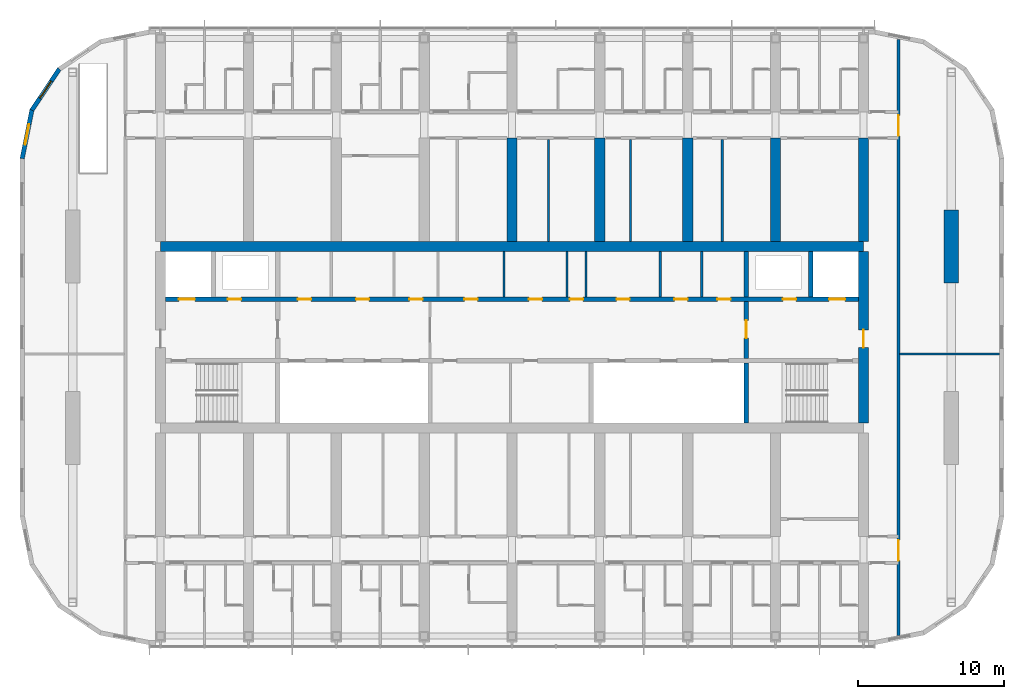
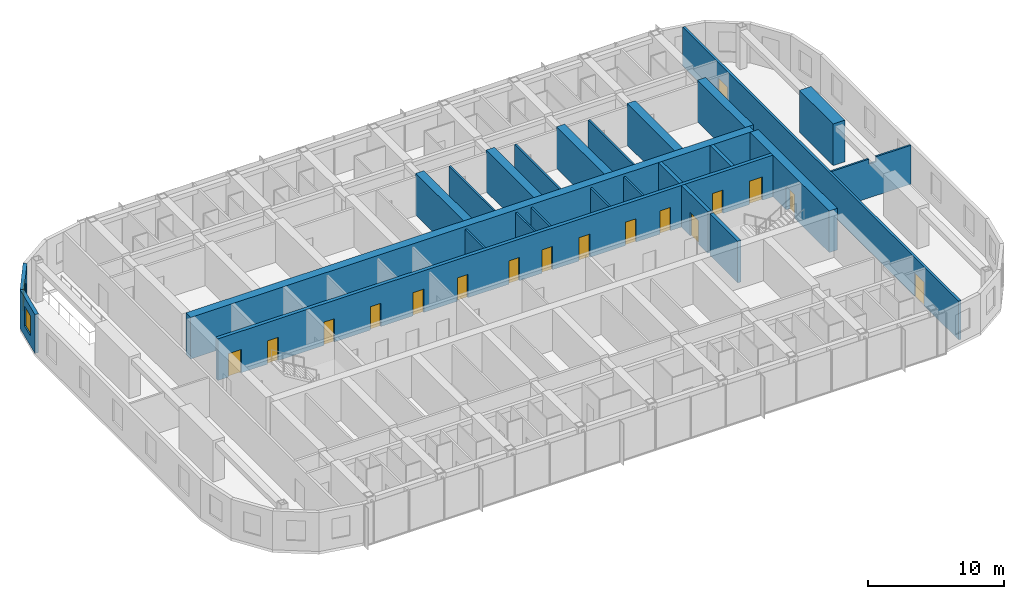
# One storey, part 15 of 24: 25 walls, 17 doors, 2 windows, 19 openings.
"""IFC4 building model written with IfcOpenShell, lengths in metres."""

from ifc_helpers import new_model, si_unit, direction, frame, frame_2d, origin, place, context, subcontext, project, spatial, polyline, rectangle, outline, extrude, material, layer, layer_set, type_object, element, fill, save


model = new_model("IFC4")

# Units and contexts
model_context = context("Model", 3, precision=1e-05, world=origin(), true_north=direction((0.0, 1.0)))
body_context = subcontext(model_context, "Body", "Model", "MODEL_VIEW")
ifc_project = project(units=[si_unit("LENGTHUNIT", "METRE"), si_unit("AREAUNIT", "SQUARE_METRE"), si_unit("VOLUMEUNIT", "CUBIC_METRE"), si_unit("PLANEANGLEUNIT", "RADIAN"), si_unit("MASSUNIT", "GRAM", prefix="KILO")], contexts=[model_context])

# Site, building, storey
site_placement = place(None, origin())
site = spatial("IfcSite", under=ifc_project, at=site_placement, CompositionType="ELEMENT")
building_placement = place(site_placement, origin())
building = spatial("IfcBuilding", under=site, at=building_placement, Name="Orbita Commons", CompositionType="ELEMENT")
storey_placement = place(building_placement, frame((0.0, 0.0, 235.300048828125)))
storey = spatial("IfcBuildingStorey", under=building, at=storey_placement, Name="L58", CompositionType="ELEMENT", Elevation=235.300048828125)

# Wall, openings, doors
ifc_material_1 = material(Name="Concrete C50/60", Category="concrete")
ifc_layer_1 = layer(ifc_material_1, 0.300048828125)
ifc_layer_set_1 = layer_set([ifc_layer_1], Name="Concrete C50/60")
wall_type_1 = type_object("IfcWallType", Name="Core inner wall 300 C50/60", PredefinedType="SHEAR", material=ifc_layer_set_1)
wall_1_placement = place(storey_placement, frame((18.35009765625, 34.60009765625, 0.0), z_axis=(0.0, 0.0, 1.0), x_axis=(1.0, 0.0, 0.0)))
wall_1 = element("IfcWall", 1, at=wall_1_placement, inside=storey, type_object=wall_type_1, Name="Lobby wall north L58", PredefinedType="SHEAR", context=body_context, shape_type="SweptSolid", body=[
    extrude(rectangle(XDim=47.2998046875, YDim=0.300048828125, at=frame_2d((23.64990234375, 0.0))), origin(), (0.0, 0.0, 1.0), 3.75),
])
opening_1_placement = place(wall_1_placement, frame((0.89990234375, 0.0, 0.0)))
opening_1 = element("IfcOpeningElement", 2, at=opening_1_placement, cuts=wall_1, Name="Opening LD01", PredefinedType="OPENING", context=body_context, shape_type="SweptSolid", body=[
    extrude(rectangle(XDim=1.10009765625, YDim=2.10009765625, at=frame_2d((0.550048828125, 1.050048828125))), frame((0.0, 0.159912109375, 0.0), z_axis=(0.0, -1.0, 0.0), x_axis=(1.0, 0.0, 0.0)), (0.0, 0.0, 1.0), 0.320068359375),
])
opening_2_placement = place(wall_1_placement, frame((45.300048828125, 0.0, 0.0)))
opening_2 = element("IfcOpeningElement", 3, at=opening_2_placement, cuts=wall_1, Name="Opening LD01", PredefinedType="OPENING", context=body_context, shape_type="SweptSolid", body=[
    extrude(rectangle(XDim=1.10009765625, YDim=2.10009765625, at=frame_2d((0.550048828125, 1.050048828125))), frame((0.0, 0.159912109375, 0.0), z_axis=(0.0, -1.0, 0.0), x_axis=(1.0, 0.0, 0.0)), (0.0, 0.0, 1.0), 0.320068359375),
])
opening_3_placement = place(wall_1_placement, frame((4.25, 0.0, 0.0)))
opening_3 = element("IfcOpeningElement", 4, at=opening_3_placement, cuts=wall_1, Name="Opening D03", PredefinedType="OPENING", context=body_context, shape_type="SweptSolid", body=[
    extrude(rectangle(XDim=0.89990234375, YDim=2.10009765625, at=frame_2d((0.449951171875, 1.050048828125))), frame((0.0, 0.159912109375, 0.0), z_axis=(0.0, -1.0, 0.0), x_axis=(1.0, 0.0, 0.0)), (0.0, 0.0, 1.0), 0.320068359375),
])
opening_4_placement = place(wall_1_placement, frame((42.14990234375, 0.0, 0.0)))
opening_4 = element("IfcOpeningElement", 5, at=opening_4_placement, cuts=wall_1, Name="Opening D03", PredefinedType="OPENING", context=body_context, shape_type="SweptSolid", body=[
    extrude(rectangle(XDim=0.89990234375, YDim=2.10009765625, at=frame_2d((0.449951171875, 1.050048828125))), frame((0.0, 0.159912109375, 0.0), z_axis=(0.0, -1.0, 0.0), x_axis=(1.0, 0.0, 0.0)), (0.0, 0.0, 1.0), 0.320068359375),
])
opening_5_placement = place(wall_1_placement, frame((9.025390625, 0.0, 0.0)))
opening_5 = element("IfcOpeningElement", 6, at=opening_5_placement, cuts=wall_1, Name="Opening D05", PredefinedType="OPENING", context=body_context, shape_type="SweptSolid", body=[
    extrude(rectangle(XDim=0.89990234375, YDim=2.10009765625, at=frame_2d((0.449951171875, 1.050048828125))), frame((0.0, 0.159912109375, 0.0), z_axis=(0.0, -1.0, 0.0), x_axis=(1.0, 0.0, 0.0)), (0.0, 0.0, 1.0), 0.320068359375),
])
opening_6_placement = place(wall_1_placement, frame((12.998779296875, 0.0, 0.0)))
opening_6 = element("IfcOpeningElement", 7, at=opening_6_placement, cuts=wall_1, Name="Opening D03", PredefinedType="OPENING", context=body_context, shape_type="SweptSolid", body=[
    extrude(rectangle(XDim=0.89990234375, YDim=2.10009765625, at=frame_2d((0.449951171875, 1.050048828125))), frame((0.0, 0.159912109375, 0.0), z_axis=(0.0, -1.0, 0.0), x_axis=(1.0, 0.0, 0.0)), (0.0, 0.0, 1.0), 0.320068359375),
])
opening_7_placement = place(wall_1_placement, frame((16.646240234375, 0.0, 0.0)))
opening_7 = element("IfcOpeningElement", 8, at=opening_7_placement, cuts=wall_1, Name="Opening D03", PredefinedType="OPENING", context=body_context, shape_type="SweptSolid", body=[
    extrude(rectangle(XDim=0.89990234375, YDim=2.10009765625, at=frame_2d((0.449951171875, 1.050048828125))), frame((0.0, 0.159912109375, 0.0), z_axis=(0.0, -1.0, 0.0), x_axis=(1.0, 0.0, 0.0)), (0.0, 0.0, 1.0), 0.320068359375),
])
opening_8_placement = place(wall_1_placement, frame((20.40478515625, 0.0, 0.0)))
opening_8 = element("IfcOpeningElement", 9, at=opening_8_placement, cuts=wall_1, Name="Opening D03", PredefinedType="OPENING", context=body_context, shape_type="SweptSolid", body=[
    extrude(rectangle(XDim=0.89990234375, YDim=2.10009765625, at=frame_2d((0.449951171875, 1.050048828125))), frame((0.0, 0.159912109375, 0.0), z_axis=(0.0, -1.0, 0.0), x_axis=(1.0, 0.0, 0.0)), (0.0, 0.0, 1.0), 0.320068359375),
])
opening_9_placement = place(wall_1_placement, frame((24.810791015625, 0.0, 0.0)))
opening_9 = element("IfcOpeningElement", 10, at=opening_9_placement, cuts=wall_1, Name="Opening D03", PredefinedType="OPENING", context=body_context, shape_type="SweptSolid", body=[
    extrude(rectangle(XDim=0.89990234375, YDim=2.10009765625, at=frame_2d((0.449951171875, 1.050048828125))), frame((0.0, 0.159912109375, 0.0), z_axis=(0.0, -1.0, 0.0), x_axis=(1.0, 0.0, 0.0)), (0.0, 0.0, 1.0), 0.320068359375),
])
opening_10_placement = place(wall_1_placement, frame((27.6083984375, 0.0, 0.0)))
opening_10 = element("IfcOpeningElement", 11, at=opening_10_placement, cuts=wall_1, Name="Opening D03", PredefinedType="OPENING", context=body_context, shape_type="SweptSolid", body=[
    extrude(rectangle(XDim=0.89990234375, YDim=2.10009765625, at=frame_2d((0.449951171875, 1.050048828125))), frame((0.0, 0.159912109375, 0.0), z_axis=(0.0, -1.0, 0.0), x_axis=(1.0, 0.0, 0.0)), (0.0, 0.0, 1.0), 0.320068359375),
])
opening_11_placement = place(wall_1_placement, frame((30.791259765625, 0.0, 0.0)))
opening_11 = element("IfcOpeningElement", 12, at=opening_11_placement, cuts=wall_1, Name="Opening D05", PredefinedType="OPENING", context=body_context, shape_type="SweptSolid", body=[
    extrude(rectangle(XDim=0.89990234375, YDim=2.10009765625, at=frame_2d((0.449951171875, 1.050048828125))), frame((0.0, 0.159912109375, 0.0), z_axis=(0.0, -1.0, 0.0), x_axis=(1.0, 0.0, 0.0)), (0.0, 0.0, 1.0), 0.320068359375),
])
opening_12_placement = place(wall_1_placement, frame((34.7421875, 0.0, 0.0)))
opening_12 = element("IfcOpeningElement", 13, at=opening_12_placement, cuts=wall_1, Name="Opening D03", PredefinedType="OPENING", context=body_context, shape_type="SweptSolid", body=[
    extrude(rectangle(XDim=0.89990234375, YDim=2.10009765625, at=frame_2d((0.449951171875, 1.050048828125))), frame((0.0, 0.159912109375, 0.0), z_axis=(0.0, -1.0, 0.0), x_axis=(1.0, 0.0, 0.0)), (0.0, 0.0, 1.0), 0.320068359375),
])
opening_13_placement = place(wall_1_placement, frame((37.680419921875, 0.0, 0.0)))
opening_13 = element("IfcOpeningElement", 14, at=opening_13_placement, cuts=wall_1, Name="Opening D03", PredefinedType="OPENING", context=body_context, shape_type="SweptSolid", body=[
    extrude(rectangle(XDim=0.89990234375, YDim=2.10009765625, at=frame_2d((0.449951171875, 1.050048828125))), frame((0.0, 0.159912109375, 0.0), z_axis=(0.0, -1.0, 0.0), x_axis=(1.0, 0.0, 0.0)), (0.0, 0.0, 1.0), 0.320068359375),
])
ifc_material_2 = material(Name="Steel-faced fire door leaf", Category="steel")
door_type_1 = type_object("IfcDoorType", Name="Firefighting lift landing door 1100x2100", OperationType="DOUBLE_DOOR_SLIDING", PredefinedType="DOOR", material=ifc_material_2)
door_1_placement = place(opening_1_placement, origin())
door_1 = element("IfcDoor", 15, at=door_1_placement, inside=storey, type_object=door_type_1, Name="Firefighting lift FL1 landing door", OperationType="DOUBLE_DOOR_SLIDING", OverallHeight=2.10009765625, OverallWidth=1.10009765625, PredefinedType="DOOR", context=body_context, shape_type="SweptSolid", body=[
    extrude(rectangle(XDim=1.10009765625, YDim=2.10009765625, at=frame_2d((0.550048828125, 1.050048828125))), frame((0.0, 0.02490234375, 0.0), z_axis=(0.0, -1.0, 0.0), x_axis=(1.0, 0.0, 0.0)), (0.0, 0.0, 1.0), 0.050048828125),
])
fill(opening_1, door_1)
door_2_placement = place(opening_2_placement, origin())
door_2 = element("IfcDoor", 16, at=door_2_placement, inside=storey, type_object=door_type_1, Name="Firefighting lift FL2 landing door", OperationType="DOUBLE_DOOR_SLIDING", OverallHeight=2.10009765625, OverallWidth=1.10009765625, PredefinedType="DOOR", context=body_context, shape_type="SweptSolid", body=[
    extrude(rectangle(XDim=1.10009765625, YDim=2.10009765625, at=frame_2d((0.550048828125, 1.050048828125))), frame((0.0, 0.02490234375, 0.0), z_axis=(0.0, -1.0, 0.0), x_axis=(1.0, 0.0, 0.0)), (0.0, 0.0, 1.0), 0.050048828125),
])
fill(opening_2, door_2)
ifc_material_3 = material(Name="Steel-faced fire door leaf", Category="steel")
door_type_2 = type_object("IfcDoorType", Name="Service door 20 min 900x2100", OperationType="SINGLE_SWING_LEFT", PredefinedType="DOOR", material=ifc_material_3)
door_3_placement = place(opening_5_placement, origin())
door_3 = element("IfcDoor", 17, at=door_3_placement, inside=storey, type_object=door_type_2, Name="Accessible WC door", OperationType="SINGLE_SWING_LEFT", OverallHeight=2.10009765625, OverallWidth=0.89990234375, PredefinedType="DOOR", context=body_context, shape_type="SweptSolid", body=[
    extrude(rectangle(XDim=0.89990234375, YDim=2.10009765625, at=frame_2d((0.449951171875, 1.050048828125))), frame((0.0, 0.02490234375, 0.0), z_axis=(0.0, -1.0, 0.0), x_axis=(1.0, 0.0, 0.0)), (0.0, 0.0, 1.0), 0.050048828125),
])
fill(opening_5, door_3)
door_4_placement = place(opening_11_placement, origin())
door_4 = element("IfcDoor", 18, at=door_4_placement, inside=storey, type_object=door_type_2, Name="Guest pantry door", OperationType="SINGLE_SWING_LEFT", OverallHeight=2.10009765625, OverallWidth=0.89990234375, PredefinedType="DOOR", context=body_context, shape_type="SweptSolid", body=[
    extrude(rectangle(XDim=0.89990234375, YDim=2.10009765625, at=frame_2d((0.449951171875, 1.050048828125))), frame((0.0, 0.02490234375, 0.0), z_axis=(0.0, -1.0, 0.0), x_axis=(1.0, 0.0, 0.0)), (0.0, 0.0, 1.0), 0.050048828125),
])
fill(opening_11, door_4)
ifc_material_4 = material(Name="Steel-faced fire door leaf", Category="steel")
door_type_3 = type_object("IfcDoorType", Name="Shaft access door 90 min 900x2100", OperationType="SINGLE_SWING_LEFT", PredefinedType="DOOR", material=ifc_material_4)
door_5_placement = place(opening_3_placement, origin())
door_5 = element("IfcDoor", 19, at=door_5_placement, inside=storey, type_object=door_type_3, Name="Riser door west", OperationType="SINGLE_SWING_LEFT", OverallHeight=2.10009765625, OverallWidth=0.89990234375, PredefinedType="DOOR", context=body_context, shape_type="SweptSolid", body=[
    extrude(rectangle(XDim=0.89990234375, YDim=2.10009765625, at=frame_2d((0.449951171875, 1.050048828125))), frame((0.0, 0.02490234375, 0.0), z_axis=(0.0, -1.0, 0.0), x_axis=(1.0, 0.0, 0.0)), (0.0, 0.0, 1.0), 0.050048828125),
])
fill(opening_3, door_5)
door_6_placement = place(opening_4_placement, origin())
door_6 = element("IfcDoor", 20, at=door_6_placement, inside=storey, type_object=door_type_3, Name="Riser door east", OperationType="SINGLE_SWING_LEFT", OverallHeight=2.10009765625, OverallWidth=0.89990234375, PredefinedType="DOOR", context=body_context, shape_type="SweptSolid", body=[
    extrude(rectangle(XDim=0.89990234375, YDim=2.10009765625, at=frame_2d((0.449951171875, 1.050048828125))), frame((0.0, 0.02490234375, 0.0), z_axis=(0.0, -1.0, 0.0), x_axis=(1.0, 0.0, 0.0)), (0.0, 0.0, 1.0), 0.050048828125),
])
fill(opening_4, door_6)
door_7_placement = place(opening_6_placement, origin())
door_7 = element("IfcDoor", 21, at=door_7_placement, inside=storey, type_object=door_type_3, Name="Refuse chute room door", OperationType="SINGLE_SWING_LEFT", OverallHeight=2.10009765625, OverallWidth=0.89990234375, PredefinedType="DOOR", context=body_context, shape_type="SweptSolid", body=[
    extrude(rectangle(XDim=0.89990234375, YDim=2.10009765625, at=frame_2d((0.449951171875, 1.050048828125))), frame((0.0, 0.02490234375, 0.0), z_axis=(0.0, -1.0, 0.0), x_axis=(1.0, 0.0, 0.0)), (0.0, 0.0, 1.0), 0.050048828125),
])
fill(opening_6, door_7)
door_8_placement = place(opening_7_placement, origin())
door_8 = element("IfcDoor", 22, at=door_8_placement, inside=storey, type_object=door_type_3, Name="Electrical riser room door", OperationType="SINGLE_SWING_LEFT", OverallHeight=2.10009765625, OverallWidth=0.89990234375, PredefinedType="DOOR", context=body_context, shape_type="SweptSolid", body=[
    extrude(rectangle(XDim=0.89990234375, YDim=2.10009765625, at=frame_2d((0.449951171875, 1.050048828125))), frame((0.0, 0.02490234375, 0.0), z_axis=(0.0, -1.0, 0.0), x_axis=(1.0, 0.0, 0.0)), (0.0, 0.0, 1.0), 0.050048828125),
])
fill(opening_7, door_8)
door_9_placement = place(opening_8_placement, origin())
door_9 = element("IfcDoor", 23, at=door_9_placement, inside=storey, type_object=door_type_3, Name="IT room door", OperationType="SINGLE_SWING_LEFT", OverallHeight=2.10009765625, OverallWidth=0.89990234375, PredefinedType="DOOR", context=body_context, shape_type="SweptSolid", body=[
    extrude(rectangle(XDim=0.89990234375, YDim=2.10009765625, at=frame_2d((0.449951171875, 1.050048828125))), frame((0.0, 0.02490234375, 0.0), z_axis=(0.0, -1.0, 0.0), x_axis=(1.0, 0.0, 0.0)), (0.0, 0.0, 1.0), 0.050048828125),
])
fill(opening_8, door_9)
door_10_placement = place(opening_9_placement, origin())
door_10 = element("IfcDoor", 24, at=door_10_placement, inside=storey, type_object=door_type_3, Name="Communications room door", OperationType="SINGLE_SWING_LEFT", OverallHeight=2.10009765625, OverallWidth=0.89990234375, PredefinedType="DOOR", context=body_context, shape_type="SweptSolid", body=[
    extrude(rectangle(XDim=0.89990234375, YDim=2.10009765625, at=frame_2d((0.449951171875, 1.050048828125))), frame((0.0, 0.02490234375, 0.0), z_axis=(0.0, -1.0, 0.0), x_axis=(1.0, 0.0, 0.0)), (0.0, 0.0, 1.0), 0.050048828125),
])
fill(opening_9, door_10)
door_11_placement = place(opening_10_placement, origin())
door_11 = element("IfcDoor", 25, at=door_11_placement, inside=storey, type_object=door_type_3, Name="Stair pressurisation duct door", OperationType="SINGLE_SWING_LEFT", OverallHeight=2.10009765625, OverallWidth=0.89990234375, PredefinedType="DOOR", context=body_context, shape_type="SweptSolid", body=[
    extrude(rectangle(XDim=0.89990234375, YDim=2.10009765625, at=frame_2d((0.449951171875, 1.050048828125))), frame((0.0, 0.02490234375, 0.0), z_axis=(0.0, -1.0, 0.0), x_axis=(1.0, 0.0, 0.0)), (0.0, 0.0, 1.0), 0.050048828125),
])
fill(opening_10, door_11)
door_12_placement = place(opening_12_placement, origin())
door_12 = element("IfcDoor", 26, at=door_12_placement, inside=storey, type_object=door_type_3, Name="Linen store door", OperationType="SINGLE_SWING_LEFT", OverallHeight=2.10009765625, OverallWidth=0.89990234375, PredefinedType="DOOR", context=body_context, shape_type="SweptSolid", body=[
    extrude(rectangle(XDim=0.89990234375, YDim=2.10009765625, at=frame_2d((0.449951171875, 1.050048828125))), frame((0.0, 0.02490234375, 0.0), z_axis=(0.0, -1.0, 0.0), x_axis=(1.0, 0.0, 0.0)), (0.0, 0.0, 1.0), 0.050048828125),
])
fill(opening_12, door_12)
door_13_placement = place(opening_13_placement, origin())
door_13 = element("IfcDoor", 27, at=door_13_placement, inside=storey, type_object=door_type_3, Name="Cleaners store door", OperationType="SINGLE_SWING_LEFT", OverallHeight=2.10009765625, OverallWidth=0.89990234375, PredefinedType="DOOR", context=body_context, shape_type="SweptSolid", body=[
    extrude(rectangle(XDim=0.89990234375, YDim=2.10009765625, at=frame_2d((0.449951171875, 1.050048828125))), frame((0.0, 0.02490234375, 0.0), z_axis=(0.0, -1.0, 0.0), x_axis=(1.0, 0.0, 0.0)), (0.0, 0.0, 1.0), 0.050048828125),
])
fill(opening_13, door_13)

# Wall
wall_2_placement = place(storey_placement, frame((58.0, 26.14990234375, 0.0), z_axis=(0.0, 0.0, 1.0), x_axis=(0.0, 1.0, 0.0)))
element("IfcWall", 28, at=wall_2_placement, inside=storey, type_object=wall_type_1, Name="Stair S2 wall L58", PredefinedType="SHEAR", context=body_context, shape_type="SweptSolid", body=[
    extrude(rectangle(XDim=4.10009765625, YDim=0.300048828125, at=frame_2d((2.050048828125, 0.0))), origin(), (0.0, 0.0, 1.0), 3.75),
])

# Wall, opening, door
wall_3_placement = place(storey_placement, frame((58.0, 30.550048828125, 0.0), z_axis=(0.0, 0.0, 1.0), x_axis=(0.0, 1.0, 0.0)))
wall_3 = element("IfcWall", 29, at=wall_3_placement, inside=storey, type_object=wall_type_1, Name="Firefighting lobby wall east L58", PredefinedType="SHEAR", context=body_context, shape_type="SweptSolid", body=[
    extrude(rectangle(XDim=3.89990234375, YDim=0.300048828125, at=frame_2d((1.949951171875, 0.0))), origin(), (0.0, 0.0, 1.0), 3.75),
])
opening_14_placement = place(wall_3_placement, frame((1.39990234375, 0.0, 0.0)))
opening_14 = element("IfcOpeningElement", 30, at=opening_14_placement, cuts=wall_3, Name="Opening D04", PredefinedType="OPENING", context=body_context, shape_type="SweptSolid", body=[
    extrude(rectangle(XDim=1.199951171875, YDim=2.10009765625, at=frame_2d((0.60009765625, 1.050048828125))), frame((0.0, 0.159912109375, 0.0), z_axis=(0.0, -1.0, 0.0), x_axis=(1.0, 0.0, 0.0)), (0.0, 0.0, 1.0), 0.320068359375),
])
ifc_material_5 = material(Name="Steel-faced fire door leaf", Category="steel")
door_type_4 = type_object("IfcDoorType", Name="Service door 20 min 1200x2100", OperationType="SINGLE_SWING_LEFT", PredefinedType="DOOR", material=ifc_material_5)
door_14_placement = place(opening_14_placement, origin())
door_14 = element("IfcDoor", 31, at=door_14_placement, inside=storey, type_object=door_type_4, Name="Lift lobby door east", OperationType="SINGLE_SWING_LEFT", OverallHeight=2.10009765625, OverallWidth=1.199951171875, PredefinedType="DOOR", context=body_context, shape_type="SweptSolid", body=[
    extrude(rectangle(XDim=1.199951171875, YDim=2.10009765625, at=frame_2d((0.60009765625, 1.050048828125))), frame((0.0, 0.02490234375, 0.0), z_axis=(0.0, -1.0, 0.0), x_axis=(1.0, 0.0, 0.0)), (0.0, 0.0, 1.0), 0.050048828125),
])
fill(opening_14, door_14)

# Walls
for number, where, z_axis, x_axis, name in (
    (32, (62.39990234375, 34.75, 0.0), (0.0, 0.0, 1.0), (0.0, 1.0, 0.0), "Firefighting lift FL2 shaft wall L58"),
    (33, (58.0, 34.75, 0.0), (0.0, 0.0, 1.0), (0.0, 1.0, 0.0), "Riser wall east L58"),
):
    element("IfcWall", number, at=place(storey_placement, frame(where, z_axis=z_axis, x_axis=x_axis)), inside=storey, type_object=wall_type_1, Name=name, PredefinedType="SHEAR", context=body_context, shape_type="SweptSolid", body=[
        extrude(rectangle(XDim=3.10009765625, YDim=0.300048828125, at=frame_2d((1.550048828125, 0.0))), origin(), (0.0, 0.0, 1.0), 3.75),
    ])
ifc_material_6 = material(Name="Concrete blockwork", Category="masonry")
ifc_layer_2 = layer(ifc_material_6, 0.14990234375)
ifc_layer_set_2 = layer_set([ifc_layer_2], Name="Concrete blockwork")
wall_type_2 = type_object("IfcWallType", Name="Core partition 150 blockwork", PredefinedType="SOLIDWALL", material=ifc_layer_set_2)
for number, where, z_axis, x_axis, name in (
    (34, (41.463134765625, 34.75, 0.0), (0.0, 0.0, 1.0), (0.0, 1.0, 0.0), "Core partition 150 blockwork L58"),
    (35, (45.75830078125, 34.75, 0.0), (0.0, 0.0, 1.0), (0.0, 1.0, 0.0), "Core partition 150 blockwork L58"),
    (36, (47.058349609375, 34.75, 0.0), (0.0, 0.0, 1.0), (0.0, 1.0, 0.0), "Core partition 150 blockwork L58"),
    (37, (52.123779296875, 34.75, 0.0), (0.0, 0.0, 1.0), (0.0, 1.0, 0.0), "Core partition 150 blockwork L58"),
    (38, (54.960693359375, 34.75, 0.0), (0.0, 0.0, 1.0), (0.0, 1.0, 0.0), "Core partition 150 blockwork L58"),
):
    element("IfcWall", number, at=place(storey_placement, frame(where, z_axis=z_axis, x_axis=x_axis)), inside=storey, type_object=wall_type_2, Name=name, PredefinedType="SOLIDWALL", context=body_context, shape_type="SweptSolid", body=[
        extrude(rectangle(XDim=3.10009765625, YDim=0.14990234375, at=frame_2d((1.550048828125, 0.0))), origin(), (0.0, 0.0, 1.0), 3.5),
    ])
ifc_material_7 = material(Name="Concrete C50/60", Category="concrete")
ifc_layer_3 = layer(ifc_material_7, 0.699951171875)
ifc_layer_set_3 = layer_set([ifc_layer_3], Name="Concrete C50/60")
wall_type_3 = type_object("IfcWallType", Name="Core wall 700 C50/60", PredefinedType="SHEAR", material=ifc_layer_set_3)
wall_4_placement = place(storey_placement, frame((18.0, 38.199951171875, 0.0), z_axis=(0.0, 0.0, 1.0), x_axis=(1.0, 0.0, 0.0)))
element("IfcWall", 39, at=wall_4_placement, inside=storey, type_object=wall_type_3, Name="Core spine wall north L58", PredefinedType="SHEAR", context=body_context, shape_type="SweptSolid", body=[
    extrude(rectangle(XDim=48.0, YDim=0.699951171875, at=frame_2d((24.0, 0.0))), origin(), (0.0, 0.0, 1.0), 3.75),
])

# Wall, opening, door
wall_5_placement = place(storey_placement, frame((66.0, 26.14990234375, 0.0), z_axis=(0.0, 0.0, 1.0), x_axis=(0.0, 1.0, 0.0)))
wall_5 = element("IfcWall", 40, at=wall_5_placement, inside=storey, type_object=wall_type_3, Name="Core end wall east L58", PredefinedType="SHEAR", context=body_context, shape_type="SweptSolid", body=[
    extrude(rectangle(XDim=11.7001953125, YDim=0.699951171875, at=frame_2d((5.85009765625, 0.0))), origin(), (0.0, 0.0, 1.0), 3.75),
])
opening_15_placement = place(wall_5_placement, frame((5.14990234375, 0.0, 0.0)))
opening_15 = element("IfcOpeningElement", 41, at=opening_15_placement, cuts=wall_5, Name="Opening D01", PredefinedType="OPENING", context=body_context, shape_type="SweptSolid", body=[
    extrude(rectangle(XDim=1.199951171875, YDim=2.10009765625, at=frame_2d((0.60009765625, 1.050048828125))), frame((0.0, 0.35986328125, 0.0), z_axis=(0.0, -1.0, 0.0), x_axis=(1.0, 0.0, 0.0)), (0.0, 0.0, 1.0), 0.719970703125),
])
ifc_material_8 = material(Name="Steel-faced fire door leaf", Category="steel")
door_type_5 = type_object("IfcDoorType", Name="Fire door 90 min 1200x2100", OperationType="SINGLE_SWING_LEFT", PredefinedType="DOOR", material=ifc_material_8)
door_15_placement = place(opening_15_placement, origin())
door_15 = element("IfcDoor", 42, at=door_15_placement, inside=storey, type_object=door_type_5, Name="Firefighting lobby east door", OperationType="SINGLE_SWING_LEFT", OverallHeight=2.10009765625, OverallWidth=1.199951171875, PredefinedType="DOOR", context=body_context, shape_type="SweptSolid", body=[
    extrude(rectangle(XDim=1.199951171875, YDim=2.10009765625, at=frame_2d((0.60009765625, 1.050048828125))), frame((0.0, 0.02490234375, 0.0), z_axis=(0.0, -1.0, 0.0), x_axis=(1.0, 0.0, 0.0)), (0.0, 0.0, 1.0), 0.050048828125),
])
fill(opening_15, door_15)

# Wall, openings, doors
ifc_material_9 = material(Name="Concrete blockwork", Category="masonry")
ifc_layer_4 = layer(ifc_material_9, 0.199951171875)
ifc_layer_set_4 = layer_set([ifc_layer_4], Name="Concrete blockwork")
wall_type_4 = type_object("IfcWallType", Name="Corridor wall 200 blockwork", PredefinedType="SOLIDWALL", material=ifc_layer_set_4)
wall_6_placement = place(storey_placement, frame((68.39990234375, 11.646240234375, 0.0), z_axis=(0.0, 0.0, 1.0), x_axis=(0.0, 1.0, 0.0)))
wall_6 = element("IfcWall", 43, at=wall_6_placement, inside=storey, type_object=wall_type_4, Name="Corridor wall 200 blockwork L58", PredefinedType="SOLIDWALL", context=body_context, shape_type="SweptSolid", body=[
    extrude(rectangle(XDim=40.70751953125, YDim=0.199951171875, at=frame_2d((20.353759765625, 0.0))), origin(), (0.0, 0.0, 1.0), 3.5),
])
opening_16_placement = place(wall_6_placement, frame((5.103759765625, 0.0, 0.0)))
opening_16 = element("IfcOpeningElement", 44, at=opening_16_placement, cuts=wall_6, Name="Opening D08", PredefinedType="OPENING", context=body_context, shape_type="SweptSolid", body=[
    extrude(rectangle(XDim=1.39990234375, YDim=2.10009765625, at=frame_2d((0.699951171875, 1.050048828125))), frame((0.0, 0.10986328125, 0.0), z_axis=(0.0, -1.0, 0.0), x_axis=(1.0, 0.0, 0.0)), (0.0, 0.0, 1.0), 0.219970703125),
])
opening_17_placement = place(wall_6_placement, frame((34.103759765625, 0.0, 0.0)))
opening_17 = element("IfcOpeningElement", 45, at=opening_17_placement, cuts=wall_6, Name="Opening D08", PredefinedType="OPENING", context=body_context, shape_type="SweptSolid", body=[
    extrude(rectangle(XDim=1.39990234375, YDim=2.10009765625, at=frame_2d((0.699951171875, 1.050048828125))), frame((0.0, 0.10986328125, 0.0), z_axis=(0.0, -1.0, 0.0), x_axis=(1.0, 0.0, 0.0)), (0.0, 0.0, 1.0), 0.219970703125),
])
ifc_material_10 = material(Name="Steel-faced fire door leaf", Category="steel")
door_type_6 = type_object("IfcDoorType", Name="Double corridor door 20 min 1400x2100", OperationType="DOUBLE_DOOR_SINGLE_SWING", PredefinedType="DOOR", material=ifc_material_10)
door_16_placement = place(opening_16_placement, origin())
door_16 = element("IfcDoor", 46, at=door_16_placement, inside=storey, type_object=door_type_6, Name="Lounge doors", OperationType="DOUBLE_DOOR_SINGLE_SWING", OverallHeight=2.10009765625, OverallWidth=1.39990234375, PredefinedType="DOOR", context=body_context, shape_type="SweptSolid", body=[
    extrude(rectangle(XDim=1.39990234375, YDim=2.10009765625, at=frame_2d((0.699951171875, 1.050048828125))), frame((0.0, 0.02490234375, 0.0), z_axis=(0.0, -1.0, 0.0), x_axis=(1.0, 0.0, 0.0)), (0.0, 0.0, 1.0), 0.050048828125),
])
fill(opening_16, door_16)
door_17_placement = place(opening_17_placement, origin())
door_17 = element("IfcDoor", 47, at=door_17_placement, inside=storey, type_object=door_type_6, Name="Lounge doors", OperationType="DOUBLE_DOOR_SINGLE_SWING", OverallHeight=2.10009765625, OverallWidth=1.39990234375, PredefinedType="DOOR", context=body_context, shape_type="SweptSolid", body=[
    extrude(rectangle(XDim=1.39990234375, YDim=2.10009765625, at=frame_2d((0.699951171875, 1.050048828125))), frame((0.0, 0.02490234375, 0.0), z_axis=(0.0, -1.0, 0.0), x_axis=(1.0, 0.0, 0.0)), (0.0, 0.0, 1.0), 0.050048828125),
])
fill(opening_17, door_17)

# Walls
ifc_material_11 = material(Name="Concrete C50/60", Category="concrete")
ifc_layer_5 = layer(ifc_material_11, 0.699951171875)
ifc_layer_set_5 = layer_set([ifc_layer_5], Name="Concrete C50/60")
wall_type_5 = type_object("IfcWallType", Name="Cross wall 700 C50/60", PredefinedType="SHEAR", material=ifc_layer_set_5)
for number, where, z_axis, x_axis, name in (
    (48, (42.0, 38.550048828125, 0.0), (0.0, 0.0, 1.0), (0.0, 1.0, 0.0), "Cross wall 8 north inner L58"),
    (49, (48.0, 38.550048828125, 0.0), (0.0, 0.0, 1.0), (0.0, 1.0, 0.0), "Cross wall 9 north inner L58"),
    (50, (54.0, 38.550048828125, 0.0), (0.0, 0.0, 1.0), (0.0, 1.0, 0.0), "Cross wall 10 north inner L58"),
    (51, (60.0, 38.550048828125, 0.0), (0.0, 0.0, 1.0), (0.0, 1.0, 0.0), "Cross wall 11 north inner L58"),
    (52, (66.0, 38.550048828125, 0.0), (0.0, 0.0, 1.0), (0.0, 1.0, 0.0), "Cross wall 12 north inner L58"),
):
    element("IfcWall", number, at=place(storey_placement, frame(where, z_axis=z_axis, x_axis=x_axis)), inside=storey, type_object=wall_type_5, Name=name, PredefinedType="SHEAR", context=body_context, shape_type="SweptSolid", body=[
        extrude(rectangle(XDim=7.050048828125, YDim=0.699951171875, at=frame_2d((3.52490234375, 0.0))), origin(), (0.0, 0.0, 1.0), 3.75),
    ])
ifc_material_12 = material(Name="Concrete C50/60", Category="concrete")
ifc_layer_6 = layer(ifc_material_12, 1.0)
ifc_layer_set_6 = layer_set([ifc_layer_6], Name="Concrete C50/60")
wall_type_6 = type_object("IfcWallType", Name="End pier 1000x5000 C50/60", PredefinedType="SHEAR", material=ifc_layer_set_6)
wall_7_placement = place(storey_placement, frame((72.0, 35.699951171875, 0.0), z_axis=(0.0, 0.0, 1.0), x_axis=(0.0, 1.0, 0.0)))
element("IfcWall", 53, at=wall_7_placement, inside=storey, type_object=wall_type_6, Name="End pier 13/D L58", PredefinedType="SHEAR", context=body_context, shape_type="SweptSolid", body=[
    extrude(rectangle(XDim=5.0, YDim=1.0, at=frame_2d((2.5, 0.0))), origin(), (0.0, 0.0, 1.0), 3.75),
])
ifc_material_13 = material(Name="Gypsum plasterboard on steel studs", Category="steel")
ifc_layer_7 = layer(ifc_material_13, 0.14990234375)
ifc_layer_set_7 = layer_set([ifc_layer_7], Name="Gypsum plasterboard on steel studs")
wall_type_7 = type_object("IfcWallType", Name="Partition 150 plasterboard", PredefinedType="PARTITIONING", material=ifc_layer_set_7)
for number, where, z_axis, x_axis, name in (
    (54, (44.489990234375, 38.550048828125, 0.0), (0.0, 0.0, 1.0), (0.0, 1.0, 0.0), "Partition 150 plasterboard L58"),
    (55, (50.0849609375, 38.550048828125, 0.0), (0.0, 0.0, 1.0), (0.0, 1.0, 0.0), "Partition 150 plasterboard L58"),
    (56, (56.360107421875, 38.550048828125, 0.0), (0.0, 0.0, 1.0), (0.0, 1.0, 0.0), "Partition 150 plasterboard L58"),
):
    element("IfcWall", number, at=place(storey_placement, frame(where, z_axis=z_axis, x_axis=x_axis)), inside=storey, type_object=wall_type_7, Name=name, PredefinedType="PARTITIONING", context=body_context, shape_type="SweptSolid", body=[
        extrude(rectangle(XDim=6.949951171875, YDim=0.14990234375, at=frame_2d((3.47509765625, 0.0))), origin(), (0.0, 0.0, 1.0), 3.5),
    ])
wall_8_placement = place(storey_placement, frame((68.47509765625, 30.85009765625, 0.0), z_axis=(0.0, 0.0, 1.0), x_axis=(1.0, 0.0, 0.0)))
element("IfcWall", 57, at=wall_8_placement, inside=storey, type_object=wall_type_7, Name="Partition 150 plasterboard L58", PredefinedType="PARTITIONING", context=body_context, shape_type="SweptSolid", body=[
    extrude(outline(polyline([(0.0, 0.0), (6.81982421875, 0.0), (6.820068359375, 3.5), (3.826904296875, 3.5), (3.824951171875, 3.050048828125), (3.22705078125, 3.050048828125), (3.22509765625, 3.5), (0.0, 3.5), (0.0, 0.0)])), frame((0.0, 0.074951171875, 0.0), z_axis=(0.0, -1.0, 0.0), x_axis=(1.0, 0.0, 0.0)), (0.0, 0.0, 1.0), 0.14990234375),
])

# Wall, opening, window
ifc_material_14 = material(Name="Precast concrete C40/50, white board-marked finish", Category="concrete")
ifc_layer_8 = layer(ifc_material_14, 0.300048828125)
ifc_layer_set_8 = layer_set([ifc_layer_8], Name="Precast concrete C40/50, white board-marked finish")
wall_type_8 = type_object("IfcWallType", Name="Precast concrete end shield 300", PredefinedType="SOLIDWALL", material=ifc_layer_set_8)
wall_9_placement = place(storey_placement, frame((11.08349609375, 50.31640625, 0.0), z_axis=(0.0, 0.0, 1.0), x_axis=(-0.555567969291, -0.831471124873, 0.0)))
wall_9 = element("IfcWall", 58, at=wall_9_placement, inside=storey, type_object=wall_type_8, Name="End shield NW chord 3 L58", PredefinedType="SOLIDWALL", context=body_context, shape_type="SweptSolid", body=[
    extrude(outline(polyline([(-0.02978515625, -0.14990234375), (3.40478515625, -0.14990234375), (3.34521484375, 0.14990234375), (0.02978515625, 0.14990234375), (-0.02978515625, -0.14990234375)])), origin(), (0.0, 0.0, 1.0), 3.5),
])
opening_18_placement = place(wall_9_placement, frame((0.987548828125, 0.0, 0.89990234375)))
opening_18 = element("IfcOpeningElement", 59, at=opening_18_placement, cuts=wall_9, Name="Opening W02", PredefinedType="OPENING", context=body_context, shape_type="SweptSolid", body=[
    extrude(rectangle(XDim=1.39990234375, YDim=1.800048828125, at=frame_2d((0.699951171875, 0.89990234375))), frame((0.0, 0.159912109375, 0.0), z_axis=(0.0, -1.0, 0.0), x_axis=(1.0, 0.0, 0.0)), (0.0, 0.0, 1.0), 0.320068359375),
])
ifc_material_15 = material(Name="Aluminium frame, clear double glazing", Category="aluminium")
window_type = type_object("IfcWindowType", Name="Deep-set window 1400x1800", PartitioningType="SINGLE_PANEL", PredefinedType="WINDOW", material=ifc_material_15)
window_1_placement = place(opening_18_placement, origin())
window_1 = element("IfcWindow", 60, at=window_1_placement, inside=storey, type_object=window_type, Name="Window L58-NW2", OverallHeight=1.800048828125, OverallWidth=1.39990234375, PartitioningType="SINGLE_PANEL", PredefinedType="WINDOW", context=body_context, shape_type="SweptSolid", body=[
    extrude(rectangle(XDim=1.39990234375, YDim=1.800048828125, at=frame_2d((0.699951171875, 0.89990234375))), frame((0.0, 0.030029296875, 0.0), z_axis=(0.0, -1.0, 0.0), x_axis=(1.0, 0.0, 0.0)), (0.0, 0.0, 1.0), 0.06005859375),
])
fill(opening_18, window_1)

wall_10_placement = place(storey_placement, frame((9.20849609375, 47.51025390625, 0.0), z_axis=(0.0, 0.0, 1.0), x_axis=(-0.19508664885, -0.980786011034, 0.0)))
wall_10 = element("IfcWall", 61, at=wall_10_placement, inside=storey, type_object=wall_type_8, Name="End shield NW chord 4 L58", PredefinedType="SOLIDWALL", context=body_context, shape_type="SweptSolid", body=[
    extrude(outline(polyline([(-0.02978515625, -0.14990234375), (3.39013671875, -0.14990234375), (3.3603515625, 0.14990234375), (0.02978515625, 0.14990234375), (-0.02978515625, -0.14990234375)])), origin(), (0.0, 0.0, 1.0), 3.5),
])
opening_19_placement = place(wall_10_placement, frame((0.987548828125, 0.0, 0.89990234375)))
opening_19 = element("IfcOpeningElement", 62, at=opening_19_placement, cuts=wall_10, Name="Opening W02", PredefinedType="OPENING", context=body_context, shape_type="SweptSolid", body=[
    extrude(rectangle(XDim=1.39990234375, YDim=1.800048828125, at=frame_2d((0.699951171875, 0.89990234375))), frame((0.0, 0.159912109375, 0.0), z_axis=(0.0, -1.0, 0.0), x_axis=(1.0, 0.0, 0.0)), (0.0, 0.0, 1.0), 0.320068359375),
])
window_2_placement = place(opening_19_placement, origin())
window_2 = element("IfcWindow", 63, at=window_2_placement, inside=storey, type_object=window_type, Name="Window L58-NW3", OverallHeight=1.800048828125, OverallWidth=1.39990234375, PartitioningType="SINGLE_PANEL", PredefinedType="WINDOW", context=body_context, shape_type="SweptSolid", body=[
    extrude(rectangle(XDim=1.39990234375, YDim=1.800048828125, at=frame_2d((0.699951171875, 0.89990234375))), frame((0.0, 0.030029296875, 0.0), z_axis=(0.0, -1.0, 0.0), x_axis=(1.0, 0.0, 0.0)), (0.0, 0.0, 1.0), 0.06005859375),
])
fill(opening_19, window_2)

save(model, "model.ifc")
